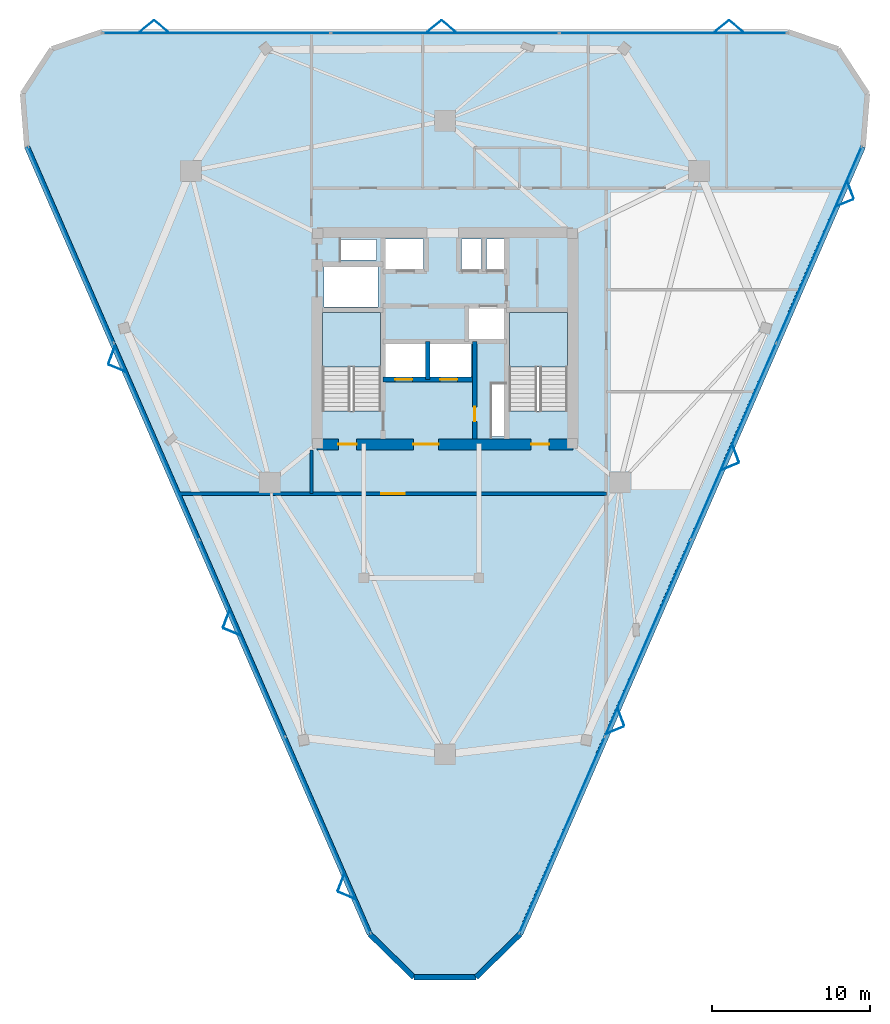
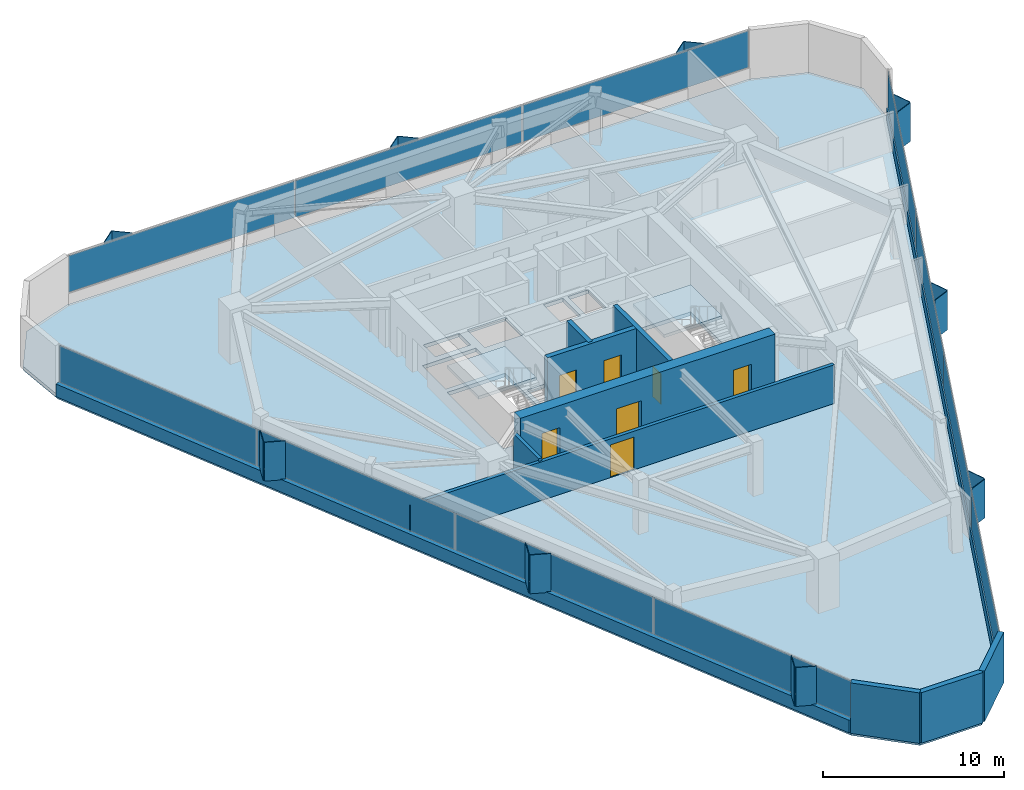
# One storey, part 9 of 12: 29 plates, 11 walls, 7 doors, 3 slabs, 7 openings, 5 elements without a shape of their own.
"""IFC4 building model written with IfcOpenShell, lengths in metres."""

from ifc_helpers import new_model, si_unit, direction, frame, frame_2d, origin, origin_2d, place, context, subcontext, project, spatial, polyline, rectangle, outline, extrude, material, layer, layer_set, type_object, element, fill, aggregate, save


model = new_model("IFC4")

# Units and contexts
model_context = context("Model", 3, precision=1e-05, world=origin(), true_north=direction((0.0, 1.0)))
body_context = subcontext(model_context, "Body", "Model", "MODEL_VIEW")
ifc_project = project(units=[si_unit("LENGTHUNIT", "METRE"), si_unit("AREAUNIT", "SQUARE_METRE"), si_unit("VOLUMEUNIT", "CUBIC_METRE"), si_unit("PLANEANGLEUNIT", "RADIAN"), si_unit("MASSUNIT", "GRAM", prefix="KILO")], contexts=[model_context])

# Site, building, storey
site_placement = place(None, origin())
site = spatial("IfcSite", under=ifc_project, at=site_placement, CompositionType="ELEMENT")
building_placement = place(site_placement, origin())
building = spatial("IfcBuilding", under=site, at=building_placement, Name="Talyreon Biosciences Tower", CompositionType="ELEMENT")
storey_placement = place(building_placement, frame((0.0, 0.0, 179.39990234375)))
storey = spatial("IfcBuildingStorey", under=building, at=storey_placement, Name="L47", CompositionType="ELEMENT", Elevation=179.39990234375)

# Curtain wall, plates
ifc_material_1 = material(Name="Thermally broken aluminium and low-E glazing", Category="aluminium")
ifc_layer_1 = layer(ifc_material_1, 0.179931640625)
ifc_layer_set_1 = layer_set([ifc_layer_1], Name="Thermally broken aluminium and low-E glazing")
curtain_wall_type = type_object("IfcCurtainWallType", Name="CurtainWall_Zone4Optical", PredefinedType="NOTDEFINED", material=ifc_layer_set_1)
curtain_wall_1_placement = place(storey_placement, origin())
curtain_wall_1 = element("IfcCurtainWall", 1, at=curtain_wall_1_placement, inside=storey, type_object=curtain_wall_type, Name="L47 Unitised Curtain Wall FCW-L47-00", PredefinedType="NOTDEFINED")
ifc_material_2 = material(Name="Triple-silver low-E insulated glazing", Category="glass")
ifc_layer_2 = layer(ifc_material_2, 0.031982421875)
ifc_layer_set_2 = layer_set([ifc_layer_2], Name="Triple-silver low-E insulated glazing")
plate_type_1 = type_object("IfcPlateType", Name="CWGlazingPanel_32", PredefinedType="CURTAIN_PANEL", material=ifc_layer_set_2)
plate_1_placement = place(storey_placement, frame((58.5869140625, 36.573974609375, 0.875), z_axis=(0.0, 0.0, 1.0), x_axis=(-0.399089020519, 0.916912184291, 0.0)))
plate_1 = element("IfcPlate", 2, at=plate_1_placement, type_object=plate_type_1, Name="CW5 panel 1.1", PredefinedType="CURTAIN_PANEL", context=body_context, shape_type="SweptSolid", body=[
    extrude(rectangle(XDim=13.49365234375, YDim=0.031982421875, at=origin_2d()), origin(), (0.0, 0.0, 1.0), 2.4599609375),
])
plate_2_placement = place(storey_placement, frame((53.16943359375, 49.02099609375, 0.875), z_axis=(0.0, 0.0, 1.0), x_axis=(-0.399089020519, 0.916912184291, 0.0)))
plate_2 = element("IfcPlate", 3, at=plate_2_placement, type_object=plate_type_1, Name="CW5 panel 2.1", PredefinedType="CURTAIN_PANEL", context=body_context, shape_type="SweptSolid", body=[
    extrude(rectangle(XDim=13.526123046875, YDim=0.031982421875, at=origin_2d()), origin(), (0.0, 0.0, 1.0), 2.4599609375),
])
plate_3_placement = place(storey_placement, frame((47.745361328125, 61.482666015625, 0.875), z_axis=(0.0, 0.0, 1.0), x_axis=(-0.399089020519, 0.916912184291, 0.0)))
plate_3 = element("IfcPlate", 4, at=plate_3_placement, type_object=plate_type_1, Name="CW5 panel 3.1", PredefinedType="CURTAIN_PANEL", context=body_context, shape_type="SweptSolid", body=[
    extrude(rectangle(XDim=13.526123046875, YDim=0.031982421875, at=origin_2d()), origin(), (0.0, 0.0, 1.0), 2.4599609375),
])
plate_4_placement = place(storey_placement, frame((42.327880859375, 73.9296875, 0.875), z_axis=(0.0, 0.0, 1.0), x_axis=(-0.399089020519, 0.916912184291, 0.0)))
plate_4 = element("IfcPlate", 5, at=plate_4_placement, type_object=plate_type_1, Name="CW5 panel 4.1", PredefinedType="CURTAIN_PANEL", context=body_context, shape_type="SweptSolid", body=[
    extrude(rectangle(XDim=13.49365234375, YDim=0.031982421875, at=origin_2d()), origin(), (0.0, 0.0, 1.0), 2.4599609375),
])
aggregate(curtain_wall_1, [plate_1, plate_2, plate_3, plate_4])

curtain_wall_2_placement = place(storey_placement, origin())
curtain_wall_2 = element("IfcCurtainWall", 6, at=curtain_wall_2_placement, inside=storey, type_object=curtain_wall_type, Name="L47 Unitised Curtain Wall FCW-L47-04", PredefinedType="NOTDEFINED")
plate_5_placement = place(storey_placement, frame((51.552001953125, 87.3388671875, 0.875), z_axis=(0.0, 0.0, 1.0), x_axis=(1.0, 0.0, 0.0)))
plate_5 = element("IfcPlate", 7, at=plate_5_placement, type_object=plate_type_1, Name="CW5 panel 1.1", PredefinedType="CURTAIN_PANEL", context=body_context, shape_type="SweptSolid", body=[
    extrude(rectangle(XDim=14.36669921875, YDim=0.031982421875, at=origin_2d()), origin(), (0.0, 0.0, 1.0), 2.4599609375),
])
plate_6_placement = place(storey_placement, frame((66.0, 87.3388671875, 0.875), z_axis=(0.0, 0.0, 1.0), x_axis=(1.0, 0.0, 0.0)))
plate_6 = element("IfcPlate", 8, at=plate_6_placement, type_object=plate_type_1, Name="CW5 panel 2.1", PredefinedType="CURTAIN_PANEL", context=body_context, shape_type="SweptSolid", body=[
    extrude(rectangle(XDim=14.399169921875, YDim=0.031982421875, at=origin_2d()), origin(), (0.0, 0.0, 1.0), 2.4599609375),
])
plate_7_placement = place(storey_placement, frame((80.447998046875, 87.3388671875, 0.875), z_axis=(0.0, 0.0, 1.0), x_axis=(1.0, 0.0, 0.0)))
plate_7 = element("IfcPlate", 9, at=plate_7_placement, type_object=plate_type_1, Name="CW5 panel 3.1", PredefinedType="CURTAIN_PANEL", context=body_context, shape_type="SweptSolid", body=[
    extrude(rectangle(XDim=14.36669921875, YDim=0.031982421875, at=origin_2d()), origin(), (0.0, 0.0, 1.0), 2.4599609375),
])
aggregate(curtain_wall_2, [plate_5, plate_6, plate_7])

curtain_wall_3_placement = place(storey_placement, origin())
curtain_wall_3 = element("IfcCurtainWall", 10, at=curtain_wall_3_placement, inside=storey, type_object=curtain_wall_type, Name="L47 Unitised Curtain Wall FCW-L47-08", PredefinedType="NOTDEFINED")
plate_8_placement = place(storey_placement, frame((89.672119140625, 73.9296875, 0.875), z_axis=(0.0, 0.0, 1.0), x_axis=(-0.399089020519, -0.916912184291, 0.0)))
plate_8 = element("IfcPlate", 11, at=plate_8_placement, type_object=plate_type_1, Name="CW5 panel 1.1", PredefinedType="CURTAIN_PANEL", context=body_context, shape_type="SweptSolid", body=[
    extrude(rectangle(XDim=13.49365234375, YDim=0.031982421875, at=origin_2d()), origin(), (0.0, 0.0, 1.0), 2.4599609375),
])
plate_9_placement = place(storey_placement, frame((84.254638671875, 61.482666015625, 0.875), z_axis=(0.0, 0.0, 1.0), x_axis=(-0.399089020519, -0.916912184291, 0.0)))
plate_9 = element("IfcPlate", 12, at=plate_9_placement, type_object=plate_type_1, Name="CW5 panel 2.1", PredefinedType="CURTAIN_PANEL", context=body_context, shape_type="SweptSolid", body=[
    extrude(rectangle(XDim=13.526123046875, YDim=0.031982421875, at=origin_2d()), origin(), (0.0, 0.0, 1.0), 2.4599609375),
])
plate_10_placement = place(storey_placement, frame((78.83056640625, 49.02099609375, 0.875), z_axis=(0.0, 0.0, 1.0), x_axis=(-0.399089020519, -0.916912184291, 0.0)))
plate_10 = element("IfcPlate", 13, at=plate_10_placement, type_object=plate_type_1, Name="CW5 panel 3.1", PredefinedType="CURTAIN_PANEL", context=body_context, shape_type="SweptSolid", body=[
    extrude(rectangle(XDim=13.526123046875, YDim=0.031982421875, at=origin_2d()), origin(), (0.0, 0.0, 1.0), 2.4599609375),
])
plate_11_placement = place(storey_placement, frame((73.4130859375, 36.573974609375, 0.875), z_axis=(0.0, 0.0, 1.0), x_axis=(-0.399089020519, -0.916912184291, 0.0)))
plate_11 = element("IfcPlate", 14, at=plate_11_placement, type_object=plate_type_1, Name="CW5 panel 4.1", PredefinedType="CURTAIN_PANEL", context=body_context, shape_type="SweptSolid", body=[
    extrude(rectangle(XDim=13.49365234375, YDim=0.031982421875, at=origin_2d()), origin(), (0.0, 0.0, 1.0), 2.4599609375),
])
aggregate(curtain_wall_3, [plate_8, plate_9, plate_10, plate_11])

# Slab
ifc_material_3 = material(Name="Concrete C40/50", Category="concrete")
ifc_layer_3 = layer(ifc_material_3, 0.25)
ifc_layer_set_3 = layer_set([ifc_layer_3], Name="Concrete C40/50")
slab_type_1 = type_object("IfcSlabType", Name="DryLabFloorSlab_250", PredefinedType="FLOOR", material=ifc_layer_set_3)
slab_1_placement = place(storey_placement, frame((0.0, 0.0, -0.25)))
element("IfcSlab", 15, at=slab_1_placement, inside=storey, type_object=slab_type_1, Name="L47 Structural Floor Slab", PredefinedType="FLOOR", context=body_context, shape_type="SweptSolid", body=[
    extrude(outline(polyline([(61.232177734375, 30.29638671875), (39.535888671875, 80.1435546875), (39.265380859375, 83.5048828125), (41.11376953125, 86.325439453125), (44.3037109375, 87.4189453125), (87.6962890625, 87.4189453125), (90.88623046875, 86.325439453125), (92.734619140625, 83.5048828125), (92.464111328125, 80.1435546875), (70.767822265625, 30.29638671875), (67.96142578125, 27.5556640625), (64.03857421875, 27.5556640625), (61.232177734375, 30.29638671875)]), holes=[polyline([(61.929931640625, 69.64990234375), (61.929931640625, 63.407958984375), (58.25, 63.407958984375), (58.25, 69.64990234375), (61.929931640625, 69.64990234375)]), polyline([(64.800048828125, 67.64990234375), (64.800048828125, 65.550048828125), (62.199951171875, 65.550048828125), (62.199951171875, 67.64990234375), (64.800048828125, 67.64990234375)]), polyline([(67.64990234375, 67.64990234375), (67.64990234375, 65.550048828125), (65.050048828125, 65.550048828125), (65.050048828125, 67.64990234375), (67.64990234375, 67.64990234375)]), polyline([(61.75, 69.97998046875), (58.35009765625, 69.97998046875), (58.35009765625, 72.550048828125), (61.75, 72.550048828125), (61.75, 69.97998046875)]), polyline([(64.64990234375, 72.35009765625), (62.199951171875, 72.35009765625), (62.199951171875, 74.300048828125), (64.64990234375, 74.300048828125), (64.64990234375, 72.35009765625)]), polyline([(61.64990234375, 74.25), (61.64990234375, 72.9599609375), (59.39990234375, 72.9599609375), (59.39990234375, 74.25), (61.64990234375, 74.25)]), polyline([(69.820068359375, 61.800048828125), (68.9599609375, 61.800048828125), (68.9599609375, 65.10009765625), (69.820068359375, 65.10009765625), (69.820068359375, 61.800048828125)]), polyline([(73.75, 63.407958984375), (70.070068359375, 63.407958984375), (70.070068359375, 69.64990234375), (73.75, 69.64990234375), (73.75, 63.407958984375)]), polyline([(69.89990234375, 69.949951171875), (69.89990234375, 67.949951171875), (67.5, 67.949951171875), (67.5, 69.949951171875), (69.89990234375, 69.949951171875)]), polyline([(68.300048828125, 72.35009765625), (67.050048828125, 72.35009765625), (67.050048828125, 74.300048828125), (68.300048828125, 74.300048828125), (68.300048828125, 72.35009765625)]), polyline([(69.919921875, 72.35009765625), (68.6201171875, 72.35009765625), (68.6201171875, 74.300048828125), (69.919921875, 74.300048828125), (69.919921875, 72.35009765625)])]), origin(), (0.0, 0.0, 1.0), 0.25),
])

# Plates
ifc_material_4 = material(Name="Ivory GFRC sunshade panel", Category="concrete")
ifc_layer_4 = layer(ifc_material_4, 0.044921875)
ifc_layer_set_4 = layer_set([ifc_layer_4], Name="Ivory GFRC sunshade panel")
plate_type_2 = type_object("IfcPlateType", Name="FoldedVSunshade_NorthFace_SUNSHADE", PredefinedType="USERDEFINED", material=ifc_layer_set_4)
for number, where, z_axis, x_axis, name in (
    (16, (47.123779296875, 87.77880859375, 0.7900390625), (0.0, 0.0, 1.0), (0.771624583388, 0.636078220278, 0.0), "L47 Folded V-Sunshade Panel 04.01L"),
    (17, (48.023681640625, 87.77880859375, 0.7900390625), (0.0, 0.0, 1.0), (0.771624583388, -0.636078220278, 0.0), "L47 Folded V-Sunshade Panel 04.01R"),
    (18, (65.32373046875, 87.77880859375, 0.7900390625), (0.0, 0.0, 1.0), (0.771624583388, 0.636078220278, 0.0), "L47 Folded V-Sunshade Panel 04.02L"),
    (19, (66.223876953125, 87.77880859375, 0.7900390625), (0.0, 0.0, 1.0), (0.771624583388, -0.636078220278, 0.0), "L47 Folded V-Sunshade Panel 04.02R"),
    (20, (83.523681640625, 87.77880859375, 0.7900390625), (0.0, 0.0, 1.0), (0.771624583388, 0.636078220278, 0.0), "L47 Folded V-Sunshade Panel 04.03L"),
    (21, (84.423828125, 87.77880859375, 0.7900390625), (0.0, 0.0, 1.0), (0.771624583388, -0.636078220278, 0.0), "L47 Folded V-Sunshade Panel 04.03R"),
):
    element("IfcPlate", number, at=place(storey_placement, frame(where, z_axis=z_axis, x_axis=x_axis)), inside=storey, type_object=plate_type_2, Name=name, ObjectType="SUNSHADE", PredefinedType="USERDEFINED", context=body_context, shape_type="SweptSolid", body=[
        extrude(rectangle(XDim=1.14990234375, YDim=0.044921875, at=origin_2d()), origin(), (0.0, 0.0, 1.0), 2.610107421875),
    ])
ifc_layer_5 = layer(ifc_material_4, 0.044921875)
ifc_layer_set_5 = layer_set([ifc_layer_5], Name="Ivory GFRC sunshade panel")
plate_type_3 = type_object("IfcPlateType", Name="FoldedVSunshade_SunFace_SUNSHADE", PredefinedType="USERDEFINED", material=ifc_layer_set_5)
for number, where, z_axis, x_axis, name in (
    (22, (59.776611328125, 32.73828125, 0.7900390625), (0.0, 0.0, 1.0), (-0.924019731257, 0.382344787134, 0.0), "L47 Folded V-Sunshade Panel 00.01L"),
    (23, (59.41748046875, 33.5634765625, 0.7900390625), (0.0, 0.0, 1.0), (0.349864049456, 0.93680048404, 0.0), "L47 Folded V-Sunshade Panel 00.01R"),
    (24, (52.51318359375, 49.426025390625, 0.7900390625), (0.0, 0.0, 1.0), (-0.924019731257, 0.382344787134, 0.0), "L47 Folded V-Sunshade Panel 00.02L"),
    (25, (52.154052734375, 50.251220703125, 0.7900390625), (0.0, 0.0, 1.0), (0.349864049456, 0.93680048404, 0.0), "L47 Folded V-Sunshade Panel 00.02R"),
    (26, (45.249755859375, 66.114013671875, 0.7900390625), (0.0, 0.0, 1.0), (-0.924019731257, 0.382344787134, 0.0), "L47 Folded V-Sunshade Panel 00.03L"),
    (27, (44.890625, 66.939208984375, 0.7900390625), (0.0, 0.0, 1.0), (0.349864049456, 0.93680048404, 0.0), "L47 Folded V-Sunshade Panel 00.03R"),
    (28, (91.668701171875, 77.414306640625, 0.7900390625), (0.0, 0.0, 1.0), (0.349864049456, -0.93680048404, 0.0), "L47 Folded V-Sunshade Panel 08.01L"),
    (29, (91.3095703125, 76.589111328125, 0.7900390625), (0.0, 0.0, 1.0), (-0.924019731257, -0.382344787134, 0.0), "L47 Folded V-Sunshade Panel 08.01R"),
    (30, (84.4052734375, 60.726318359375, 0.7900390625), (0.0, 0.0, 1.0), (0.349864049456, -0.93680048404, 0.0), "L47 Folded V-Sunshade Panel 08.02L"),
    (31, (84.046142578125, 59.901123046875, 0.7900390625), (0.0, 0.0, 1.0), (-0.924019731257, -0.382344787134, 0.0), "L47 Folded V-Sunshade Panel 08.02R"),
    (32, (77.141845703125, 44.03857421875, 0.7900390625), (0.0, 0.0, 1.0), (0.349864049456, -0.93680048404, 0.0), "L47 Folded V-Sunshade Panel 08.03L"),
    (33, (76.78271484375, 43.21337890625, 0.7900390625), (0.0, 0.0, 1.0), (-0.924019731257, -0.382344787134, 0.0), "L47 Folded V-Sunshade Panel 08.03R"),
):
    element("IfcPlate", number, at=place(storey_placement, frame(where, z_axis=z_axis, x_axis=x_axis)), inside=storey, type_object=plate_type_3, Name=name, ObjectType="SUNSHADE", PredefinedType="USERDEFINED", context=body_context, shape_type="SweptSolid", body=[
        extrude(rectangle(XDim=1.14990234375, YDim=0.044921875, at=origin_2d()), origin(), (0.0, 0.0, 1.0), 2.610107421875),
    ])

# Stair, slab
stair_type = type_object("IfcStairType", Name="DoglegEscapeStair_3650", PredefinedType="HALF_TURN_STAIR", material=ifc_material_3)
stair_1_placement = place(storey_placement, origin())
stair_1 = element("IfcStair", 34, at=stair_1_placement, inside=storey, type_object=stair_type, Name="L47 Core Escape Stair 1", PredefinedType="HALF_TURN_STAIR")
ifc_layer_6 = layer(ifc_material_3, 0.199951171875)
ifc_layer_set_6 = layer_set([ifc_layer_6], Name="Concrete C40/50")
slab_type_2 = type_object("IfcSlabType", Name="StairLandingSlab_200", PredefinedType="LANDING", material=ifc_layer_set_6)
slab_2_placement = place(storey_placement, frame((0.0, 0.0, 1.625)))
slab_2 = element("IfcSlab", 35, at=slab_2_placement, type_object=slab_type_2, Name="ST-1 landing 1", PredefinedType="LANDING", context=body_context, shape_type="SweptSolid", body=[
    extrude(outline(polyline([(61.929931640625, 66.199951171875), (61.929931640625, 69.64990234375), (58.25, 69.64990234375), (58.25, 66.199951171875), (61.929931640625, 66.199951171875)])), origin(), (0.0, 0.0, 1.0), 0.2001953125),
])
aggregate(stair_1, [slab_2])

stair_2_placement = place(storey_placement, origin())
stair_2 = element("IfcStair", 36, at=stair_2_placement, inside=storey, type_object=stair_type, Name="L47 Core Escape Stair 2", PredefinedType="HALF_TURN_STAIR")
slab_3_placement = place(storey_placement, frame((0.0, 0.0, 1.625)))
slab_3 = element("IfcSlab", 37, at=slab_3_placement, type_object=slab_type_2, Name="ST-2 landing 1", PredefinedType="LANDING", context=body_context, shape_type="SweptSolid", body=[
    extrude(outline(polyline([(73.75, 66.199951171875), (73.75, 69.64990234375), (70.070068359375, 69.64990234375), (70.070068359375, 66.199951171875), (73.75, 66.199951171875)])), origin(), (0.0, 0.0, 1.0), 0.2001953125),
])
aggregate(stair_2, [slab_3])

# Wall
ifc_material_5 = material(Name="Concrete C50/60", Category="concrete")
ifc_layer_7 = layer(ifc_material_5, 0.280029296875)
ifc_layer_set_7 = layer_set([ifc_layer_7], Name="Concrete C50/60")
wall_type_1 = type_object("IfcWallType", Name="CoreShearWall_280", PredefinedType="SHEAR", material=ifc_layer_set_7)
wall_1_placement = place(storey_placement, frame((64.919921875, 65.39990234375, 0.0), z_axis=(0.0, 0.0, 1.0), x_axis=(0.0, 1.0, 0.0)))
element("IfcWall", 38, at=wall_1_placement, inside=storey, type_object=wall_type_1, Name="L47 Core Shaft Wall SWSHD1", PredefinedType="SHEAR", context=body_context, shape_type="SweptSolid", body=[
    extrude(rectangle(XDim=2.400146484375, YDim=0.280029296875, at=frame_2d((1.2001953125, 0.0))), origin(), (0.0, 0.0, 1.0), 3.650146484375),
])

# Wall, opening, door
wall_2_placement = place(storey_placement, frame((67.8798828125, 61.64990234375, 0.0), z_axis=(0.0, 0.0, 1.0), x_axis=(0.0, 1.0, 0.0)))
wall_2 = element("IfcWall", 39, at=wall_2_placement, inside=storey, type_object=wall_type_1, Name="L47 Core Shaft Wall SWFFE", PredefinedType="SHEAR", context=body_context, shape_type="SweptSolid", body=[
    extrude(rectangle(XDim=6.150146484375, YDim=0.280029296875, at=frame_2d((3.0751953125, 0.0))), origin(), (0.0, 0.0, 1.0), 3.650146484375),
])
opening_1_placement = place(wall_2_placement, frame((1.10009765625, 0.0, 0.0)))
opening_1 = element("IfcOpeningElement", 40, at=opening_1_placement, cuts=wall_2, Name="Opening DR-L47-RSE", PredefinedType="OPENING", context=body_context, shape_type="SweptSolid", body=[
    extrude(rectangle(XDim=0.919921875, YDim=2.050048828125, at=frame_2d((0.4599609375, 1.02490234375))), frame((0.0, 0.14990234375, 0.0), z_axis=(0.0, -1.0, 0.0), x_axis=(1.0, 0.0, 0.0)), (0.0, 0.0, 1.0), 0.300048828125),
])
ifc_material_6 = material(Name="Painted steel fire-rated riser door", Category="steel")
door_type_1 = type_object("IfcDoorType", Name="RiserPlantAccessDoor_920x2050", OperationType="NOTDEFINED", PredefinedType="DOOR", material=ifc_material_6)
door_1_placement = place(opening_1_placement, origin())
door_1 = element("IfcDoor", 41, at=door_1_placement, inside=storey, type_object=door_type_1, Name="L47 Core Door DR-L47-RSE", OperationType="SINGLE_SWING_RIGHT", OverallHeight=2.050048828125, OverallWidth=0.919921875, PredefinedType="DOOR", context=body_context, shape_type="SweptSolid", body=[
    extrude(rectangle(XDim=0.919921875, YDim=2.050048828125, at=frame_2d((0.4599609375, 1.02490234375))), frame((0.0, 0.02490234375, 0.0), z_axis=(0.0, -1.0, 0.0), x_axis=(1.0, 0.0, 0.0)), (0.0, 0.0, 1.0), 0.050048828125),
])
fill(opening_1, door_1)

# Wall, openings, doors
ifc_layer_8 = layer(ifc_material_5, 0.320068359375)
ifc_layer_set_8 = layer_set([ifc_layer_8], Name="Concrete C50/60")
wall_type_2 = type_object("IfcWallType", Name="CoreShearWall_320", PredefinedType="SHEAR", material=ifc_layer_set_8)
wall_3_placement = place(storey_placement, frame((62.090087890625, 65.39990234375, 0.0), z_axis=(0.0, 0.0, 1.0), x_axis=(1.0, 0.0, 0.0)))
wall_3 = element("IfcWall", 42, at=wall_3_placement, inside=storey, type_object=wall_type_2, Name="L47 Core Shaft Wall SWFFN", PredefinedType="SHEAR", context=body_context, shape_type="SweptSolid", body=[
    extrude(rectangle(XDim=5.789794921875, YDim=0.320068359375, at=frame_2d((2.89501953125, 0.0))), origin(), (0.0, 0.0, 1.0), 3.650146484375),
])
opening_2_placement = place(wall_3_placement, frame((0.75, 0.0, 0.0)))
opening_2 = element("IfcOpeningElement", 43, at=opening_2_placement, cuts=wall_3, Name="Opening LD-L47-FL1", PredefinedType="OPENING", context=body_context, shape_type="SweptSolid", body=[
    extrude(rectangle(XDim=1.10009765625, YDim=2.199951171875, at=frame_2d((0.550048828125, 1.10009765625))), frame((0.0, 0.169921875, 0.0), z_axis=(0.0, -1.0, 0.0), x_axis=(1.0, 0.0, 0.0)), (0.0, 0.0, 1.0), 0.340087890625),
])
opening_3_placement = place(wall_3_placement, frame((3.60009765625, 0.0, 0.0)))
opening_3 = element("IfcOpeningElement", 44, at=opening_3_placement, cuts=wall_3, Name="Opening LD-L47-FL2", PredefinedType="OPENING", context=body_context, shape_type="SweptSolid", body=[
    extrude(rectangle(XDim=1.10009765625, YDim=2.199951171875, at=frame_2d((0.550048828125, 1.10009765625))), frame((0.0, 0.169921875, 0.0), z_axis=(0.0, -1.0, 0.0), x_axis=(1.0, 0.0, 0.0)), (0.0, 0.0, 1.0), 0.340087890625),
])
ifc_material_7 = material(Name="Brushed stainless-steel lift landing door", Category="steel")
door_type_2 = type_object("IfcDoorType", Name="LiftSlidingLandingDoor_1100x2200", OperationType="SLIDING_TO_LEFT", PredefinedType="DOOR", material=ifc_material_7)
door_2_placement = place(opening_2_placement, origin())
door_2 = element("IfcDoor", 45, at=door_2_placement, inside=storey, type_object=door_type_2, Name="L47 Core Door LD-L47-FL1", OperationType="SLIDING_TO_LEFT", OverallHeight=2.199951171875, OverallWidth=1.10009765625, PredefinedType="DOOR", context=body_context, shape_type="SweptSolid", body=[
    extrude(rectangle(XDim=1.10009765625, YDim=2.199951171875, at=frame_2d((0.550048828125, 1.10009765625))), frame((0.0, 0.02490234375, 0.0), z_axis=(0.0, -1.0, 0.0), x_axis=(1.0, 0.0, 0.0)), (0.0, 0.0, 1.0), 0.050048828125),
])
fill(opening_2, door_2)
door_3_placement = place(opening_3_placement, origin())
door_3 = element("IfcDoor", 46, at=door_3_placement, inside=storey, type_object=door_type_2, Name="L47 Core Door LD-L47-FL2", OperationType="SLIDING_TO_LEFT", OverallHeight=2.199951171875, OverallWidth=1.10009765625, PredefinedType="DOOR", context=body_context, shape_type="SweptSolid", body=[
    extrude(rectangle(XDim=1.10009765625, YDim=2.199951171875, at=frame_2d((0.550048828125, 1.10009765625))), frame((0.0, 0.02490234375, 0.0), z_axis=(0.0, -1.0, 0.0), x_axis=(1.0, 0.0, 0.0)), (0.0, 0.0, 1.0), 0.050048828125),
])
fill(opening_3, door_3)

ifc_layer_9 = layer(ifc_material_5, 0.699951171875)
ifc_layer_set_9 = layer_set([ifc_layer_9], Name="Concrete C50/60")
wall_type_3 = type_object("IfcWallType", Name="CoreShearWall_700", PredefinedType="SHEAR", material=ifc_layer_set_9)
wall_4_placement = place(storey_placement, frame((57.89990234375, 61.300048828125, 0.0), z_axis=(0.0, 0.0, 1.0), x_axis=(1.0, 0.0, 0.0)))
wall_4 = element("IfcWall", 47, at=wall_4_placement, inside=storey, type_object=wall_type_3, Name="L47 Core Shear Wall S", PredefinedType="SHEAR", context=body_context, shape_type="SweptSolid", body=[
    extrude(rectangle(XDim=16.2001953125, YDim=0.699951171875, at=frame_2d((8.10009765625, 0.0))), origin(), (0.0, 0.0, 1.0), 3.650146484375),
])
opening_4_placement = place(wall_4_placement, frame((1.35009765625, 0.0, 0.0)))
opening_4 = element("IfcOpeningElement", 48, at=opening_4_placement, cuts=wall_4, Name="Opening DR-L47-ST1", PredefinedType="OPENING", context=body_context, shape_type="SweptSolid", body=[
    extrude(rectangle(XDim=1.14990234375, YDim=2.14990234375, at=frame_2d((0.574951171875, 1.074951171875))), frame((0.0, 0.35986328125, 0.0), z_axis=(0.0, -1.0, 0.0), x_axis=(1.0, 0.0, 0.0)), (0.0, 0.0, 1.0), 0.719970703125),
])
opening_5_placement = place(wall_4_placement, frame((6.10009765625, 0.0, 0.0)))
opening_5 = element("IfcOpeningElement", 49, at=opening_5_placement, cuts=wall_4, Name="Opening DR-L47-FFL", PredefinedType="OPENING", context=body_context, shape_type="SweptSolid", body=[
    extrude(rectangle(XDim=1.60009765625, YDim=2.14990234375, at=frame_2d((0.800048828125, 1.074951171875))), frame((0.0, 0.35986328125, 0.0), z_axis=(0.0, -1.0, 0.0), x_axis=(1.0, 0.0, 0.0)), (0.0, 0.0, 1.0), 0.719970703125),
])
opening_6_placement = place(wall_4_placement, frame((13.550048828125, 0.0, 0.0)))
opening_6 = element("IfcOpeningElement", 50, at=opening_6_placement, cuts=wall_4, Name="Opening DR-L47-ST2", PredefinedType="OPENING", context=body_context, shape_type="SweptSolid", body=[
    extrude(rectangle(XDim=1.14990234375, YDim=2.14990234375, at=frame_2d((0.574951171875, 1.074951171875))), frame((0.0, 0.35986328125, 0.0), z_axis=(0.0, -1.0, 0.0), x_axis=(1.0, 0.0, 0.0)), (0.0, 0.0, 1.0), 0.719970703125),
])
ifc_material_8 = material(Name="Painted steel smoke-seal fire door", Category="steel")
door_type_3 = type_object("IfcDoorType", Name="FirefightingLobbyDoubleDoor_1600x2150", OperationType="DOUBLE_DOOR_SINGLE_SWING", PredefinedType="DOOR", material=ifc_material_8)
door_4_placement = place(opening_5_placement, origin())
door_4 = element("IfcDoor", 51, at=door_4_placement, inside=storey, type_object=door_type_3, Name="L47 Core Door DR-L47-FFL", OperationType="DOUBLE_DOOR_SINGLE_SWING", OverallHeight=2.14990234375, OverallWidth=1.60009765625, PredefinedType="DOOR", context=body_context, shape_type="SweptSolid", body=[
    extrude(rectangle(XDim=1.60009765625, YDim=2.14990234375, at=frame_2d((0.800048828125, 1.074951171875))), frame((0.0, 0.02490234375, 0.0), z_axis=(0.0, -1.0, 0.0), x_axis=(1.0, 0.0, 0.0)), (0.0, 0.0, 1.0), 0.050048828125),
])
fill(opening_5, door_4)
ifc_material_9 = material(Name="Painted steel fire door", Category="steel")
door_type_4 = type_object("IfcDoorType", Name="StairShaftFireDoor_1150x2150", OperationType="NOTDEFINED", PredefinedType="DOOR", material=ifc_material_9)
door_5_placement = place(opening_4_placement, origin())
door_5 = element("IfcDoor", 52, at=door_5_placement, inside=storey, type_object=door_type_4, Name="L47 Core Door DR-L47-ST1", OperationType="SINGLE_SWING_LEFT", OverallHeight=2.14990234375, OverallWidth=1.14990234375, PredefinedType="DOOR", context=body_context, shape_type="SweptSolid", body=[
    extrude(rectangle(XDim=1.14990234375, YDim=2.14990234375, at=frame_2d((0.574951171875, 1.074951171875))), frame((0.0, 0.02490234375, 0.0), z_axis=(0.0, -1.0, 0.0), x_axis=(1.0, 0.0, 0.0)), (0.0, 0.0, 1.0), 0.050048828125),
])
fill(opening_4, door_5)
door_6_placement = place(opening_6_placement, origin())
door_6 = element("IfcDoor", 53, at=door_6_placement, inside=storey, type_object=door_type_4, Name="L47 Core Door DR-L47-ST2", OperationType="SINGLE_SWING_RIGHT", OverallHeight=2.14990234375, OverallWidth=1.14990234375, PredefinedType="DOOR", context=body_context, shape_type="SweptSolid", body=[
    extrude(rectangle(XDim=1.14990234375, YDim=2.14990234375, at=frame_2d((0.574951171875, 1.074951171875))), frame((0.0, 0.02490234375, 0.0), z_axis=(0.0, -1.0, 0.0), x_axis=(1.0, 0.0, 0.0)), (0.0, 0.0, 1.0), 0.050048828125),
])
fill(opening_6, door_6)

# Wall, opening, door
ifc_material_10 = material(Name="Gypsum fireboard acoustic stud", Category="gypsum")
ifc_layer_10 = layer(ifc_material_10, 0.219970703125)
ifc_layer_set_10 = layer_set([ifc_layer_10], Name="Gypsum fireboard acoustic stud")
wall_type_4 = type_object("IfcWallType", Name="CorridorRatedPartition_220", PredefinedType="PARTITIONING", material=ifc_layer_set_10)
wall_5_placement = place(storey_placement, frame((49.192626953125, 58.169921875, 0.0), z_axis=(0.0, 0.0, 1.0), x_axis=(1.0, 0.0, 0.0)))
wall_5 = element("IfcWall", 54, at=wall_5_placement, inside=storey, type_object=wall_type_4, Name="L47 Interior Wall IW-L47-COR-S", PredefinedType="PARTITIONING", context=body_context, shape_type="SweptSolid", body=[
    extrude(rectangle(XDim=27.02734375, YDim=0.219970703125, at=frame_2d((13.513671875, 0.0))), origin(), (0.0, 0.0, 1.0), 2.60009765625),
])
opening_7_placement = place(wall_5_placement, frame((12.763916015625, 0.0, 0.0)))
opening_7 = element("IfcOpeningElement", 55, at=opening_7_placement, cuts=wall_5, Name="Opening DR-L47-S1A", PredefinedType="OPENING", context=body_context, shape_type="SweptSolid", body=[
    extrude(rectangle(XDim=1.5, YDim=2.199951171875, at=frame_2d((0.75, 1.10009765625))), frame((0.0, 0.119873046875, 0.0), z_axis=(0.0, -1.0, 0.0), x_axis=(1.0, 0.0, 0.0)), (0.0, 0.0, 1.0), 0.239990234375),
])
ifc_material_11 = material(Name="Vision-panel steel laboratory fire door", Category="steel")
door_type_5 = type_object("IfcDoorType", Name="WetLabDoubleLeafDoor_1500x2200", OperationType="DOUBLE_DOOR_SINGLE_SWING", PredefinedType="DOOR", material=ifc_material_11)
door_7_placement = place(opening_7_placement, origin())
door_7 = element("IfcDoor", 56, at=door_7_placement, inside=storey, type_object=door_type_5, Name="L47 Interior Door DR-L47-S1A", OperationType="DOUBLE_DOOR_SINGLE_SWING", OverallHeight=2.199951171875, OverallWidth=1.5, PredefinedType="DOOR", context=body_context, shape_type="SweptSolid", body=[
    extrude(rectangle(XDim=1.5, YDim=2.199951171875, at=frame_2d((0.75, 1.10009765625))), frame((0.0, 0.02490234375, 0.0), z_axis=(0.0, -1.0, 0.0), x_axis=(1.0, 0.0, 0.0)), (0.0, 0.0, 1.0), 0.050048828125),
])
fill(opening_7, door_7)

# Walls
wall_6_placement = place(storey_placement, frame((57.550048828125, 58.169921875, 0.0), z_axis=(0.0, 0.0, 1.0), x_axis=(0.0, 1.0, 0.0)))
element("IfcWall", 57, at=wall_6_placement, inside=storey, type_object=wall_type_4, Name="L47 Interior Wall IW-L47-WCAP-S", PredefinedType="PARTITIONING", context=body_context, shape_type="SweptSolid", body=[
    extrude(rectangle(XDim=2.780029296875, YDim=0.219970703125, at=frame_2d((1.39013671875, 0.0))), origin(), (0.0, 0.0, 1.0), 2.780029296875),
])
ifc_material_12 = material(Name="Precast concrete C45/55", Category="concrete")
ifc_layer_11 = layer(ifc_material_12, 0.340087890625)
ifc_layer_set_11 = layer_set([ifc_layer_11], Name="Precast concrete C45/55")
wall_type_5 = type_object("IfcWallType", Name="PrecastConcreteSpandrelWall_340", PredefinedType="STANDARD", material=ifc_layer_set_11)
for number, where, z_axis, x_axis, name in (
    (58, (61.232177734375, 30.29638671875, 0.0), (0.0, 0.0, 1.0), (-0.399091286562, 0.916911197985, 0.0), "L47 Expressed Concrete Sill Wall 00"),
    (59, (92.464111328125, 80.1435546875, 0.0), (0.0, 0.0, 1.0), (-0.399091286562, -0.916911197985, 0.0), "L47 Expressed Concrete Sill Wall 08"),
):
    element("IfcWall", number, at=place(storey_placement, frame(where, z_axis=z_axis, x_axis=x_axis)), inside=storey, type_object=wall_type_5, Name=name, PredefinedType="STANDARD", context=body_context, shape_type="SweptSolid", body=[
        extrude(rectangle(XDim=54.3642578125, YDim=0.340087890625, at=frame_2d((27.18212890625, 0.0))), origin(), (0.0, 0.0, 1.0), 0.85009765625),
    ])
wall_7_placement = place(storey_placement, frame((70.767822265625, 30.29638671875, 0.0), z_axis=(0.0, 0.0, 1.0), x_axis=(-0.715428269207, -0.698686189658, 0.0)))
element("IfcWall", 60, at=wall_7_placement, inside=storey, type_object=wall_type_5, Name="L47 Rounded-Corner Concrete Pier 09", PredefinedType="STANDARD", context=body_context, shape_type="SweptSolid", body=[
    extrude(rectangle(XDim=3.922607421875, YDim=0.340087890625, at=frame_2d((1.96142578125, 0.0))), origin(), (0.0, 0.0, 1.0), 3.400146484375),
])
wall_8_placement = place(storey_placement, frame((67.96142578125, 27.5556640625, 0.0), z_axis=(0.0, 0.0, 1.0), x_axis=(-1.0, 0.0, 0.0)))
element("IfcWall", 61, at=wall_8_placement, inside=storey, type_object=wall_type_5, Name="L47 Rounded-Corner Concrete Pier 10", PredefinedType="STANDARD", context=body_context, shape_type="SweptSolid", body=[
    extrude(rectangle(XDim=3.9228515625, YDim=0.340087890625, at=frame_2d((1.96142578125, 0.0))), origin(), (0.0, 0.0, 1.0), 3.400146484375),
])
wall_9_placement = place(storey_placement, frame((64.03857421875, 27.5556640625, 0.0), z_axis=(0.0, 0.0, 1.0), x_axis=(-0.715428269207, 0.698686189658, 0.0)))
element("IfcWall", 62, at=wall_9_placement, inside=storey, type_object=wall_type_5, Name="L47 Rounded-Corner Concrete Pier 11", PredefinedType="STANDARD", context=body_context, shape_type="SweptSolid", body=[
    extrude(rectangle(XDim=3.922607421875, YDim=0.340087890625, at=frame_2d((1.96142578125, 0.0))), origin(), (0.0, 0.0, 1.0), 3.400146484375),
])

save(model, "model.ifc")
